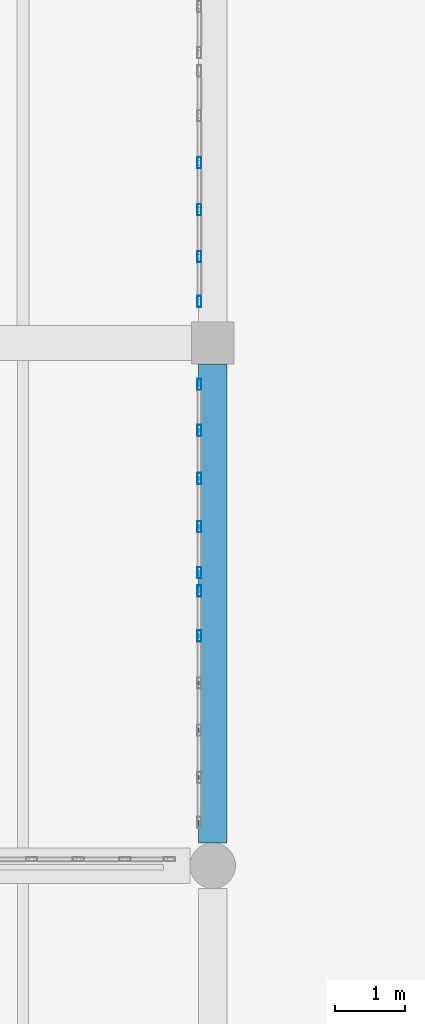
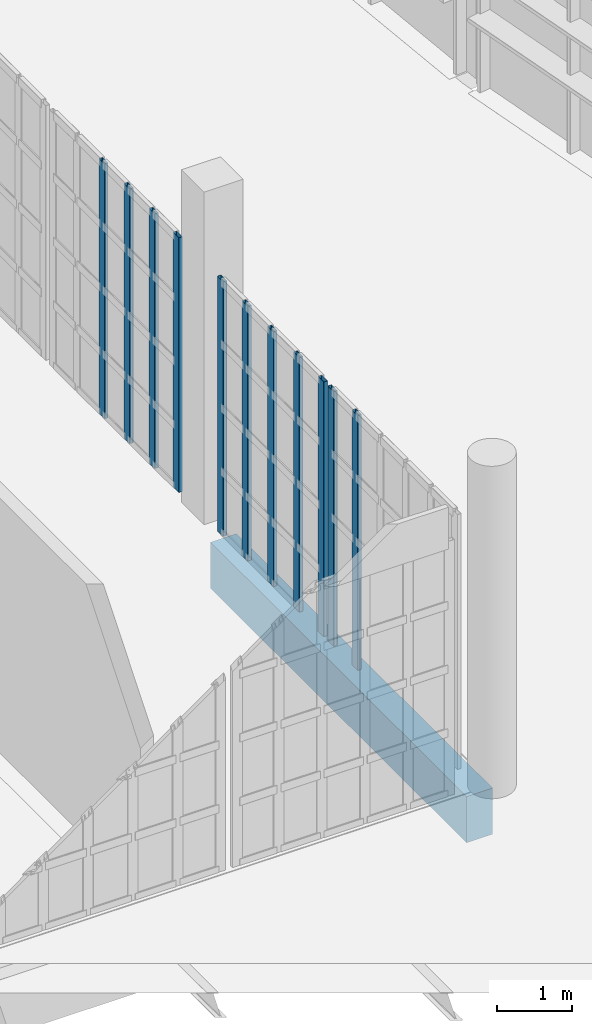
# One storey, part 67 of 372: 11 members, 1 beam, 3 elements without a shape of their own.
"""IFC4 building model written with IfcOpenShell, lengths in metres."""

from ifc_helpers import new_model, si_unit, direction, frame, origin, origin_2d, place, context, subcontext, project, spatial, rectangle, hollow_rectangle, extrude, material, material_profile, profile_set, type_object, element, aggregate, save


model = new_model("IFC4")

# Units and contexts
model_context = context("Model", 3, precision=1e-05, world=origin(), true_north=direction((0.0, 1.0)))
body_context = subcontext(model_context, "Body", "Model", "MODEL_VIEW")
ifc_project = project(units=[si_unit("LENGTHUNIT", "METRE"), si_unit("AREAUNIT", "SQUARE_METRE"), si_unit("VOLUMEUNIT", "CUBIC_METRE"), si_unit("PLANEANGLEUNIT", "RADIAN"), si_unit("MASSUNIT", "GRAM", prefix="KILO")], contexts=[model_context])

# Site, building, storey
site_placement = place(None, origin())
site = spatial("IfcSite", under=ifc_project, at=site_placement, CompositionType="ELEMENT")
building_placement = place(site_placement, origin())
building = spatial("IfcBuilding", under=site, at=building_placement, Name="Kaelora Sail Theatre", CompositionType="ELEMENT")
storey_placement = place(building_placement, origin())
storey = spatial("IfcBuildingStorey", under=building, at=storey_placement, Name="L00", CompositionType="ELEMENT", Elevation=0.0)

# Curtain wall, members
ifc_material_1 = material(Name="Anodised aluminium and solar-control low-E IGU", Category="aluminium")
curtain_wall_type = type_object("IfcCurtainWallType", Name="ARC-CW-CW-FOY2", PredefinedType="NOTDEFINED", material=ifc_material_1)
curtain_wall_1_placement = place(storey_placement, origin())
curtain_wall_1 = element("IfcCurtainWall", 1, at=curtain_wall_1_placement, inside=storey, type_object=curtain_wall_type, Name="Glazed Colonnade/Courtyard Curtain Wall COLW-E-L00-01", PredefinedType="NOTDEFINED")
ifc_material_2 = material(Name="Anodised aluminium 6063-T6", Category="aluminium")
ifc_material_profile_1 = material_profile(ifc_material_2, hollow_rectangle(XDim=0.06005859375, YDim=0.159912109375, WallThickness=0.00390625, InnerFilletRadius=0.00390625, OuterFilletRadius=0.008056640625, at=origin_2d()), Name="ALU-MULL 60x160x4")
ifc_profile_set_1 = profile_set([ifc_material_profile_1], Name="Anodised aluminium 6063-T6")
member_type = type_object("IfcMemberType", Name="ARC-MEM-ML-160", PredefinedType="MULLION", material=ifc_profile_set_1)
member_1_placement = place(storey_placement, frame((17.510009765625, 34.529052734375, 0.0), z_axis=(0.0, 0.0, 1.0), x_axis=(-1.0, 0.0, 0.0)))
member_1 = element("IfcMember", 2, at=member_1_placement, type_object=member_type, Name="CW-FOY2 mullion 5", PredefinedType="MULLION", context=body_context, shape_type="SweptSolid", body=[
    extrude(hollow_rectangle(XDim=0.06005859375, YDim=0.159912109375, WallThickness=0.00390625, InnerFilletRadius=0.00390625, OuterFilletRadius=0.008056640625, at=origin_2d()), origin(), (0.0, 0.0, 1.0), 4.136962890625),
])
member_2_placement = place(storey_placement, frame((17.510009765625, 35.169921875, 0.0), z_axis=(0.0, 0.0, 1.0), x_axis=(-1.0, 0.0, 0.0)))
member_2 = element("IfcMember", 3, at=member_2_placement, type_object=member_type, Name="CW-FOY2 mullion 6", PredefinedType="MULLION", context=body_context, shape_type="SweptSolid", body=[
    extrude(hollow_rectangle(XDim=0.06005859375, YDim=0.159912109375, WallThickness=0.00390625, InnerFilletRadius=0.00390625, OuterFilletRadius=0.008056640625, at=origin_2d()), origin(), (0.0, 0.0, 1.0), 4.136962890625),
])
aggregate(curtain_wall_1, [member_1, member_2])

curtain_wall_2_placement = place(storey_placement, origin())
curtain_wall_2 = element("IfcCurtainWall", 4, at=curtain_wall_2_placement, inside=storey, type_object=curtain_wall_type, Name="Glazed Colonnade/Courtyard Curtain Wall COLW-E-L00-02", PredefinedType="NOTDEFINED")
member_3_placement = place(storey_placement, frame((17.510009765625, 35.429931640625, 0.0), z_axis=(0.0, 0.0, 1.0), x_axis=(-1.0, 0.0, 0.0)))
member_3 = element("IfcMember", 5, at=member_3_placement, type_object=member_type, Name="CW-FOY2 mullion 1", PredefinedType="MULLION", context=body_context, shape_type="SweptSolid", body=[
    extrude(hollow_rectangle(XDim=0.06005859375, YDim=0.159912109375, WallThickness=0.00390625, InnerFilletRadius=0.00390625, OuterFilletRadius=0.008056640625, at=origin_2d()), origin(), (0.0, 0.0, 1.0), 4.136962890625),
])
member_4_placement = place(storey_placement, frame((17.510009765625, 36.0849609375, 0.0), z_axis=(0.0, 0.0, 1.0), x_axis=(-1.0, 0.0, 0.0)))
member_4 = element("IfcMember", 6, at=member_4_placement, type_object=member_type, Name="CW-FOY2 mullion 2", PredefinedType="MULLION", context=body_context, shape_type="SweptSolid", body=[
    extrude(hollow_rectangle(XDim=0.06005859375, YDim=0.159912109375, WallThickness=0.00390625, InnerFilletRadius=0.00390625, OuterFilletRadius=0.008056640625, at=origin_2d()), origin(), (0.0, 0.0, 1.0), 4.136962890625),
])
member_5_placement = place(storey_placement, frame((17.510009765625, 36.77001953125, 0.0), z_axis=(0.0, 0.0, 1.0), x_axis=(-1.0, 0.0, 0.0)))
member_5 = element("IfcMember", 7, at=member_5_placement, type_object=member_type, Name="CW-FOY2 mullion 3", PredefinedType="MULLION", context=body_context, shape_type="SweptSolid", body=[
    extrude(hollow_rectangle(XDim=0.06005859375, YDim=0.159912109375, WallThickness=0.00390625, InnerFilletRadius=0.00390625, OuterFilletRadius=0.008056640625, at=origin_2d()), origin(), (0.0, 0.0, 1.0), 4.136962890625),
])
member_6_placement = place(storey_placement, frame((17.510009765625, 37.455078125, 0.0), z_axis=(0.0, 0.0, 1.0), x_axis=(-1.0, 0.0, 0.0)))
member_6 = element("IfcMember", 8, at=member_6_placement, type_object=member_type, Name="CW-FOY2 mullion 4", PredefinedType="MULLION", context=body_context, shape_type="SweptSolid", body=[
    extrude(hollow_rectangle(XDim=0.06005859375, YDim=0.159912109375, WallThickness=0.00390625, InnerFilletRadius=0.00390625, OuterFilletRadius=0.008056640625, at=origin_2d()), origin(), (0.0, 0.0, 1.0), 4.136962890625),
])
member_7_placement = place(storey_placement, frame((17.510009765625, 38.110107421875, 0.0), z_axis=(0.0, 0.0, 1.0), x_axis=(-1.0, 0.0, 0.0)))
member_7 = element("IfcMember", 9, at=member_7_placement, type_object=member_type, Name="CW-FOY2 mullion 5", PredefinedType="MULLION", context=body_context, shape_type="SweptSolid", body=[
    extrude(hollow_rectangle(XDim=0.06005859375, YDim=0.159912109375, WallThickness=0.00390625, InnerFilletRadius=0.00390625, OuterFilletRadius=0.008056640625, at=origin_2d()), origin(), (0.0, 0.0, 1.0), 4.136962890625),
])
aggregate(curtain_wall_2, [member_3, member_4, member_5, member_6, member_7])

curtain_wall_3_placement = place(storey_placement, origin())
curtain_wall_3 = element("IfcCurtainWall", 10, at=curtain_wall_3_placement, inside=storey, type_object=curtain_wall_type, Name="Glazed Colonnade/Courtyard Curtain Wall COLW-E-L00-03", PredefinedType="NOTDEFINED")
member_8_placement = place(storey_placement, frame((17.510009765625, 39.2900390625, 0.0), z_axis=(0.0, 0.0, 1.0), x_axis=(-1.0, 0.0, 0.0)))
member_8 = element("IfcMember", 11, at=member_8_placement, type_object=member_type, Name="CW-FOY2 mullion 1", PredefinedType="MULLION", context=body_context, shape_type="SweptSolid", body=[
    extrude(hollow_rectangle(XDim=0.06005859375, YDim=0.159912109375, WallThickness=0.00390625, InnerFilletRadius=0.00390625, OuterFilletRadius=0.008056640625, at=origin_2d()), origin(), (0.0, 0.0, 1.0), 4.136962890625),
])
member_9_placement = place(storey_placement, frame((17.510009765625, 39.927978515625, 0.0), z_axis=(0.0, 0.0, 1.0), x_axis=(-1.0, 0.0, 0.0)))
member_9 = element("IfcMember", 12, at=member_9_placement, type_object=member_type, Name="CW-FOY2 mullion 2", PredefinedType="MULLION", context=body_context, shape_type="SweptSolid", body=[
    extrude(hollow_rectangle(XDim=0.06005859375, YDim=0.159912109375, WallThickness=0.00390625, InnerFilletRadius=0.00390625, OuterFilletRadius=0.008056640625, at=origin_2d()), origin(), (0.0, 0.0, 1.0), 4.136962890625),
])
member_10_placement = place(storey_placement, frame((17.510009765625, 40.595947265625, 0.0), z_axis=(0.0, 0.0, 1.0), x_axis=(-1.0, 0.0, 0.0)))
member_10 = element("IfcMember", 13, at=member_10_placement, type_object=member_type, Name="CW-FOY2 mullion 3", PredefinedType="MULLION", context=body_context, shape_type="SweptSolid", body=[
    extrude(hollow_rectangle(XDim=0.06005859375, YDim=0.159912109375, WallThickness=0.00390625, InnerFilletRadius=0.00390625, OuterFilletRadius=0.008056640625, at=origin_2d()), origin(), (0.0, 0.0, 1.0), 4.136962890625),
])
member_11_placement = place(storey_placement, frame((17.510009765625, 41.263916015625, 0.0), z_axis=(0.0, 0.0, 1.0), x_axis=(-1.0, 0.0, 0.0)))
member_11 = element("IfcMember", 14, at=member_11_placement, type_object=member_type, Name="CW-FOY2 mullion 4", PredefinedType="MULLION", context=body_context, shape_type="SweptSolid", body=[
    extrude(hollow_rectangle(XDim=0.06005859375, YDim=0.159912109375, WallThickness=0.00390625, InnerFilletRadius=0.00390625, OuterFilletRadius=0.008056640625, at=origin_2d()), origin(), (0.0, 0.0, 1.0), 4.136962890625),
])
aggregate(curtain_wall_3, [member_8, member_9, member_10, member_11])

# Beam
ifc_material_3 = material(Name="Concrete C40/50", Category="concrete")
ifc_material_profile_2 = material_profile(ifc_material_3, rectangle(XDim=0.39990234375, YDim=0.75, at=origin_2d()), Name="RC-BM 400x750")
ifc_profile_set_2 = profile_set([ifc_material_profile_2], Name="Concrete C40/50")
beam_type = type_object("IfcBeamType", Name="STR-BM-BM-RC4075", PredefinedType="BEAM", material=ifc_profile_set_2)
beam_placement = place(storey_placement, frame((17.699951171875, 31.5849609375, -0.695068359375), z_axis=(0.0, 1.0, 0.0), x_axis=(-1.0, 0.0, 0.0)))
element("IfcBeam", 15, at=beam_placement, inside=storey, type_object=beam_type, Name="Primary beam 3 E-F (L00)", PredefinedType="BEAM", context=body_context, shape_type="SweptSolid", body=[
    extrude(rectangle(XDim=0.39990234375, YDim=0.75, at=origin_2d()), origin(), (0.0, 0.0, 1.0), 6.81494140625),
])

save(model, "model.ifc")
